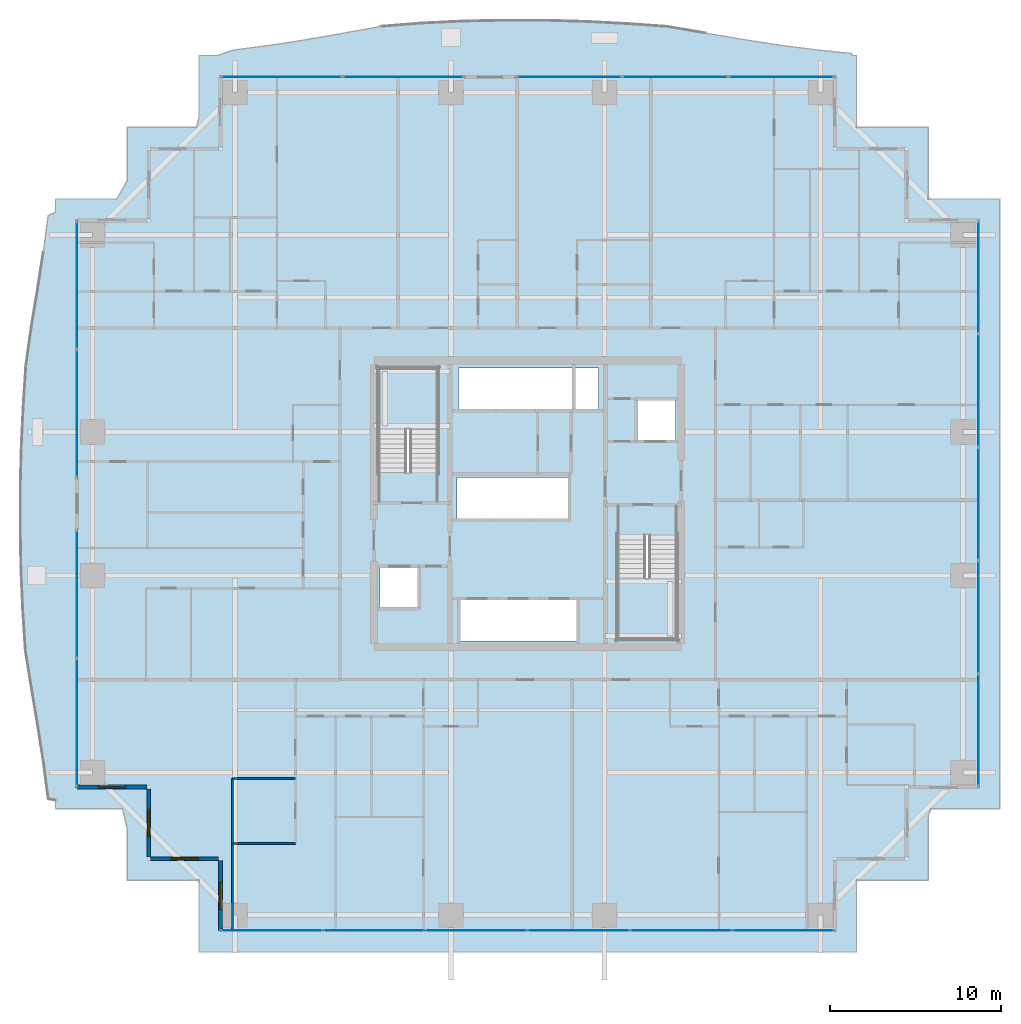
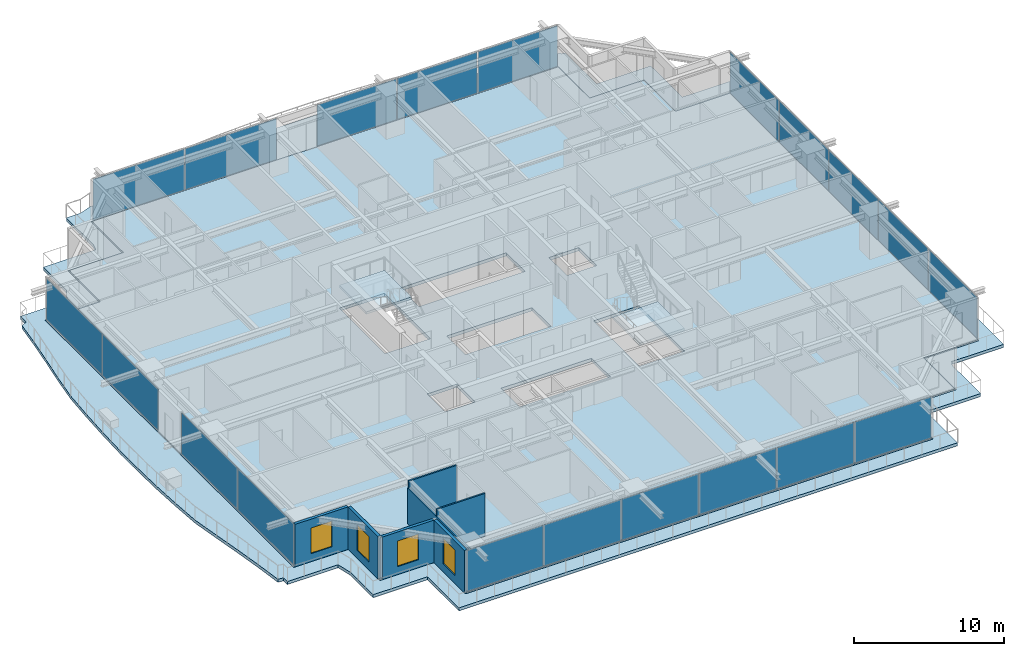
# One storey, part 21 of 34: 20 plates, 7 walls, 4 slabs, 4 windows, 4 openings, 8 elements without a shape of their own.
"""IFC4 building model written with IfcOpenShell, lengths in metres."""

from ifc_helpers import new_model, si_unit, direction, frame, frame_2d, origin, origin_2d, place, context, subcontext, project, spatial, polyline, rectangle, outline, extrude, source, transform, mapped, material, layer, layer_set, type_object, element, fill, aggregate, save


model = new_model("IFC4")

# Units and contexts
model_context = context("Model", 3, precision=1e-05, world=origin(), true_north=direction((0.0, 1.0)))
body_context = subcontext(model_context, "Body", "Model", "MODEL_VIEW")
ifc_project = project(units=[si_unit("LENGTHUNIT", "METRE"), si_unit("AREAUNIT", "SQUARE_METRE"), si_unit("VOLUMEUNIT", "CUBIC_METRE"), si_unit("PLANEANGLEUNIT", "RADIAN"), si_unit("MASSUNIT", "GRAM", prefix="KILO")], contexts=[model_context])

# Site, building, storey
site_placement = place(None, origin())
site = spatial("IfcSite", under=ifc_project, at=site_placement, CompositionType="ELEMENT")
building_placement = place(site_placement, origin())
building = spatial("IfcBuilding", under=site, at=building_placement, Name="Serunith Strait Residences", CompositionType="ELEMENT")
storey_placement = place(building_placement, frame((0.0, 0.0, 101.699951171875)))
storey = spatial("IfcBuildingStorey", under=building, at=storey_placement, Name="L25", CompositionType="ELEMENT", Elevation=101.699951171875)

# Slab
ifc_material_1 = material(Name="Concrete C50/60", Category="concrete")
ifc_layer_1 = layer(ifc_material_1, 0.239990234375, Name="Concrete C50/60")
ifc_layer_set_1 = layer_set([ifc_layer_1], Name="Concrete C50/60")
slab_type_1 = type_object("IfcSlabType", Name="SLB-BALC-240", PredefinedType="FLOOR", material=ifc_layer_set_1)
slab_1_placement = place(storey_placement, frame((0.0, 0.0, -0.2900390625)))
element("IfcSlab", 1, at=slab_1_placement, inside=storey, type_object=slab_type_1, Name="L25 Planted Vertical-Forest Balcony Slab", PredefinedType="FLOOR", context=body_context, shape_type="SweptSolid", body=[
    extrude(outline(polyline([(4.739990234375, 7.83251953125), (4.32177734375, 7.8994140625), (4.041015625, 10.02685546875), (3.7099609375, 12.17724609375), (3.3408203125, 14.3671875), (2.977294921875, 16.618408203125), (2.82763671875, 18.973876953125), (2.72265625, 21.359130859375), (2.679931640625, 23.764404296875), (2.679931640625, 26.17578125), (2.742919921875, 28.57958984375), (2.85595703125, 30.96337890625), (3.007568359375, 33.318115234375), (3.328125, 35.588134765625), (3.693115234375, 37.78662109375), (4.021484375, 39.944580078125), (4.30126953125, 42.078857421875), (4.739990234375, 42.280517578125), (4.739990234375, 43.06005859375), (8.329833984375, 43.06005859375), (8.93994140625, 44.134033203125), (8.93994140625, 47.260009765625), (12.993408203125, 47.260009765625), (13.139892578125, 47.81591796875), (13.139892578125, 51.4599609375), (14.236083984375, 51.4599609375), (15.108642578125, 51.77490234375), (17.230224609375, 52.049072265625), (19.37109375, 52.38134765625), (21.5498046875, 52.76171875), (23.787109375, 53.163818359375), (26.140625, 53.35302734375), (28.536376953125, 53.469970703125), (30.955322265625, 53.52001953125), (33.3818359375, 53.52001953125), (35.79931640625, 53.449951171875), (38.19384765625, 53.32568359375), (40.55517578125, 53.160400390625), (42.806640625, 52.77978515625), (44.9951171875, 52.403076171875), (47.14404296875, 52.072509765625), (49.27197265625, 51.7978515625), (51.392578125, 51.57861328125), (51.3916015625, 51.4599609375), (51.659912109375, 51.4599609375), (51.659912109375, 47.260009765625), (55.860107421875, 47.260009765625), (55.860107421875, 43.06005859375), (60.06005859375, 43.06005859375), (60.06005859375, 7.340087890625), (56.041259765625, 7.340087890625), (55.860107421875, 6.9423828125), (55.860107421875, 3.139892578125), (51.659912109375, 3.139892578125), (51.659912109375, -1.06005859375), (13.139892578125, -1.06005859375), (13.139892578125, 3.139892578125), (8.93994140625, 3.139892578125), (8.93994140625, 6.131591796875), (8.66064453125, 7.340087890625), (4.739990234375, 7.340087890625), (4.739990234375, 7.83251953125)]), holes=[polyline([(50.455078125, 0.14501953125), (50.455078125, 4.344970703125), (54.655029296875, 4.344970703125), (54.655029296875, 8.544921875), (58.85498046875, 8.544921875), (58.85498046875, 41.85498046875), (54.655029296875, 41.85498046875), (54.655029296875, 46.054931640625), (50.455078125, 46.054931640625), (50.455078125, 50.2548828125), (14.344970703125, 50.2548828125), (14.344970703125, 46.054931640625), (10.14501953125, 46.054931640625), (10.14501953125, 41.85498046875), (5.945068359375, 41.85498046875), (5.945068359375, 8.544921875), (10.14501953125, 8.544921875), (10.14501953125, 4.344970703125), (14.344970703125, 4.344970703125), (14.344970703125, 0.14501953125), (50.455078125, 0.14501953125)])]), origin(), (0.0, 0.0, 1.0), 0.239990234375),
])

# Stair, slab
stair_type_1 = type_object("IfcStairType", Name="STR-CORE-1", PredefinedType="HALF_TURN_STAIR", material=ifc_material_1)
stair_1_placement = place(storey_placement, origin())
stair_1 = element("IfcStair", 2, at=stair_1_placement, inside=storey, type_object=stair_type_1, Name="L25 Protected Escape Stair ST-1", PredefinedType="HALF_TURN_STAIR")
ifc_layer_2 = layer(ifc_material_1, 0.199951171875, Name="Concrete C50/60")
ifc_layer_set_2 = layer_set([ifc_layer_2], Name="Concrete C50/60")
slab_type_2 = type_object("IfcSlabType", Name="SLB-LAND-200", PredefinedType="LANDING", material=ifc_layer_set_2)
slab_2_placement = place(storey_placement, frame((0.0, 0.0, 1.675048828125)))
slab_2 = element("IfcSlab", 3, at=slab_2_placement, type_object=slab_type_2, Name="ST-1 landing 1", PredefinedType="LANDING", context=body_context, shape_type="SweptSolid", body=[
    extrude(outline(polyline([(27.14990234375, 29.550048828125), (27.14990234375, 33.14990234375), (23.64990234375, 33.14990234375), (23.64990234375, 29.550048828125), (27.14990234375, 29.550048828125)])), origin(), (0.0, 0.0, 1.0), 0.199951171875),
])
aggregate(stair_1, [slab_2])

stair_type_2 = type_object("IfcStairType", Name="STR-CORE-2", PredefinedType="HALF_TURN_STAIR", material=ifc_material_1)
stair_2_placement = place(storey_placement, origin())
stair_2 = element("IfcStair", 4, at=stair_2_placement, inside=storey, type_object=stair_type_2, Name="L25 Protected Escape Stair ST-2", PredefinedType="HALF_TURN_STAIR")
slab_3_placement = place(storey_placement, frame((0.0, 0.0, 1.675048828125)))
slab_3 = element("IfcSlab", 5, at=slab_3_placement, type_object=slab_type_2, Name="ST-2 landing 1", PredefinedType="LANDING", context=body_context, shape_type="SweptSolid", body=[
    extrude(outline(polyline([(37.64990234375, 20.85009765625), (37.64990234375, 17.25), (41.14990234375, 17.25), (41.14990234375, 20.85009765625), (37.64990234375, 20.85009765625)])), origin(), (0.0, 0.0, 1.0), 0.199951171875),
])
aggregate(stair_2, [slab_3])

# Slab
ifc_material_2 = material(Name="Concrete C60/75", Category="concrete")
ifc_layer_3 = layer(ifc_material_2, 0.260009765625, Name="Concrete C60/75")
ifc_layer_set_3 = layer_set([ifc_layer_3], Name="Concrete C60/75")
slab_type_3 = type_object("IfcSlabType", Name="SLB-TWR-260-Z1", PredefinedType="FLOOR", material=ifc_layer_set_3)
slab_4_placement = place(storey_placement, frame((0.0, 0.0, -0.260009765625)))
element("IfcSlab", 6, at=slab_4_placement, inside=storey, type_object=slab_type_3, Name="L25 Structural Floor Plate", PredefinedType="FLOOR", context=body_context, shape_type="SweptSolid", body=[
    extrude(outline(polyline([(14.39990234375, 4.39990234375), (10.199951171875, 4.39990234375), (10.199951171875, 8.60009765625), (6.0, 8.60009765625), (6.0, 41.800048828125), (10.199951171875, 41.800048828125), (10.199951171875, 46.0), (14.39990234375, 46.0), (14.39990234375, 50.199951171875), (50.39990234375, 50.199951171875), (50.39990234375, 46.0), (54.60009765625, 46.0), (54.60009765625, 41.800048828125), (58.800048828125, 41.800048828125), (58.800048828125, 8.60009765625), (54.60009765625, 8.60009765625), (54.60009765625, 4.39990234375), (50.39990234375, 4.39990234375), (50.39990234375, 0.199951171875), (14.39990234375, 0.199951171875), (14.39990234375, 4.39990234375)]), holes=[polyline([(41.14990234375, 17.25), (41.14990234375, 23.3701171875), (37.64990234375, 23.3701171875), (37.64990234375, 17.25), (41.14990234375, 17.25)]), polyline([(41.050048828125, 31.25), (38.75, 31.25), (38.75, 28.85009765625), (41.050048828125, 28.85009765625), (41.050048828125, 31.25)]), polyline([(36.550048828125, 33.14990234375), (28.35009765625, 33.14990234375), (28.35009765625, 30.64990234375), (36.550048828125, 30.64990234375), (36.550048828125, 33.14990234375)]), polyline([(28.35009765625, 19.64990234375), (28.35009765625, 17.14990234375), (35.35009765625, 17.14990234375), (35.35009765625, 19.64990234375), (28.35009765625, 19.64990234375)]), polyline([(34.85009765625, 26.75), (28.25, 26.75), (28.25, 24.25), (34.85009765625, 24.25), (34.85009765625, 26.75)]), polyline([(23.64990234375, 33.14990234375), (23.64990234375, 27.030029296875), (27.14990234375, 27.030029296875), (27.14990234375, 33.14990234375), (23.64990234375, 33.14990234375)]), polyline([(26.050048828125, 21.550048828125), (23.75, 21.550048828125), (23.75, 19.14990234375), (26.050048828125, 19.14990234375), (26.050048828125, 21.550048828125)])]), origin(), (0.0, 0.0, 1.0), 0.260009765625),
])

# Curtain wall, plates
ifc_material_3 = material(Name="Pale-Champagne Anodised Aluminium", Category="aluminium")
ifc_layer_4 = layer(ifc_material_3, 0.199951171875, Name="Pale-Champagne Anodised Aluminium")
ifc_layer_set_4 = layer_set([ifc_layer_4], Name="Pale-Champagne Anodised Aluminium")
curtain_wall_type = type_object("IfcCurtainWallType", Name="CW-SYS1", PredefinedType="NOTDEFINED", material=ifc_layer_set_4)
curtain_wall_1_placement = place(storey_placement, origin())
curtain_wall_1 = element("IfcCurtainWall", 7, at=curtain_wall_1_placement, inside=storey, type_object=curtain_wall_type, Name="L25 S Unitised Fritted Curtain Wall", PredefinedType="NOTDEFINED")
ifc_material_4 = material(Name="Ceramic-Fritted Low-E Double Glazing 28mm", Category="glass")
ifc_layer_5 = layer(ifc_material_4, 0.028076171875, Name="Ceramic-Fritted Low-E Double Glazing 28mm")
ifc_layer_set_5 = layer_set([ifc_layer_5], Name="Ceramic-Fritted Low-E Double Glazing 28mm")
plate_type = type_object("IfcPlateType", Name="CW-SYS1-PNL", PredefinedType="CURTAIN_PANEL", material=ifc_layer_set_5)
shared_shape_1 = source(origin(), body_context, "Body", "SweptSolid", [
    extrude(rectangle(XDim=5.89501953125, YDim=0.028076171875, at=origin_2d()), origin(), (0.0, 0.0, 1.0), 3.35498046875),
])
plate_1_placement = place(storey_placement, frame((17.41748046875, 0.199951171875, 0.06005859375), z_axis=(0.0, 0.0, 1.0), x_axis=(1.0, 0.0, 0.0)))
plate_1 = element("IfcPlate", 8, at=plate_1_placement, type_object=plate_type, Name="CW-1 panel 1.1", PredefinedType="CURTAIN_PANEL", context=body_context, shape_type="MappedRepresentation", body=[
    mapped(shared_shape_1, transform((0.0, 0.0, 0.0), scale=1.0)),
])
plate_2_placement = place(storey_placement, frame((47.382568359375, 0.199951171875, 0.06005859375), z_axis=(0.0, 0.0, 1.0), x_axis=(1.0, 0.0, 0.0)))
plate_2 = element("IfcPlate", 9, at=plate_2_placement, type_object=plate_type, Name="CW-1 panel 6.1", PredefinedType="CURTAIN_PANEL", context=body_context, shape_type="MappedRepresentation", body=[
    mapped(shared_shape_1, transform((0.0, 0.0, 0.0), scale=1.0)),
])
shared_shape_2 = source(origin(), body_context, "Body", "SweptSolid", [
    extrude(rectangle(XDim=5.929931640625, YDim=0.028076171875, at=origin_2d()), origin(), (0.0, 0.0, 1.0), 3.35498046875),
])
plate_3_placement = place(storey_placement, frame((23.39990234375, 0.199951171875, 0.06005859375), z_axis=(0.0, 0.0, 1.0), x_axis=(1.0, 0.0, 0.0)))
plate_3 = element("IfcPlate", 10, at=plate_3_placement, type_object=plate_type, Name="CW-1 panel 2.1", PredefinedType="CURTAIN_PANEL", context=body_context, shape_type="MappedRepresentation", body=[
    mapped(shared_shape_2, transform((0.0, 0.0, 0.0), scale=1.0)),
])
plate_4_placement = place(storey_placement, frame((29.39990234375, 0.199951171875, 0.06005859375), z_axis=(0.0, 0.0, 1.0), x_axis=(1.0, 0.0, 0.0)))
plate_4 = element("IfcPlate", 11, at=plate_4_placement, type_object=plate_type, Name="CW-1 panel 3.1", PredefinedType="CURTAIN_PANEL", context=body_context, shape_type="MappedRepresentation", body=[
    mapped(shared_shape_2, transform((0.0, 0.0, 0.0), scale=1.0)),
])
plate_5_placement = place(storey_placement, frame((35.39990234375, 0.199951171875, 0.06005859375), z_axis=(0.0, 0.0, 1.0), x_axis=(1.0, 0.0, 0.0)))
plate_5 = element("IfcPlate", 12, at=plate_5_placement, type_object=plate_type, Name="CW-1 panel 4.1", PredefinedType="CURTAIN_PANEL", context=body_context, shape_type="MappedRepresentation", body=[
    mapped(shared_shape_2, transform((0.0, 0.0, 0.0), scale=1.0)),
])
plate_6_placement = place(storey_placement, frame((41.39990234375, 0.199951171875, 0.06005859375), z_axis=(0.0, 0.0, 1.0), x_axis=(1.0, 0.0, 0.0)))
plate_6 = element("IfcPlate", 13, at=plate_6_placement, type_object=plate_type, Name="CW-1 panel 5.1", PredefinedType="CURTAIN_PANEL", context=body_context, shape_type="MappedRepresentation", body=[
    mapped(shared_shape_2, transform((0.0, 0.0, 0.0), scale=1.0)),
])
aggregate(curtain_wall_1, [plate_1, plate_3, plate_4, plate_5, plate_6, plate_2])

curtain_wall_2_placement = place(storey_placement, origin())
curtain_wall_2 = element("IfcCurtainWall", 14, at=curtain_wall_2_placement, inside=storey, type_object=curtain_wall_type, Name="L25 W Unitised Fritted Curtain Wall", PredefinedType="NOTDEFINED")
shared_shape_3 = source(origin(), body_context, "Body", "SweptSolid", [
    extrude(rectangle(XDim=7.445068359375, YDim=0.028076171875, at=origin_2d()), origin(), (0.0, 0.0, 1.0), 3.35498046875),
])
plate_7_placement = place(storey_placement, frame((6.0, 38.007568359375, 0.06005859375), z_axis=(0.0, 0.0, 1.0), x_axis=(0.0, -1.0, 0.0)))
plate_7 = element("IfcPlate", 15, at=plate_7_placement, type_object=plate_type, Name="CW-1 panel 1.1", PredefinedType="CURTAIN_PANEL", context=body_context, shape_type="MappedRepresentation", body=[
    mapped(shared_shape_3, transform((0.0, 0.0, 0.0), scale=1.0)),
])
plate_8_placement = place(storey_placement, frame((6.0, 30.492431640625, 0.06005859375), z_axis=(0.0, 0.0, 1.0), x_axis=(0.0, -1.0, 0.0)))
plate_8 = element("IfcPlate", 16, at=plate_8_placement, type_object=plate_type, Name="CW-1 panel 2.1", PredefinedType="CURTAIN_PANEL", context=body_context, shape_type="MappedRepresentation", body=[
    mapped(shared_shape_3, transform((0.0, 0.0, 0.0), scale=1.0)),
])
aggregate(curtain_wall_2, [plate_7, plate_8])

curtain_wall_3_placement = place(storey_placement, origin())
curtain_wall_3 = element("IfcCurtainWall", 17, at=curtain_wall_3_placement, inside=storey, type_object=curtain_wall_type, Name="L25 W Unitised Fritted Curtain Wall", PredefinedType="NOTDEFINED")
plate_9_placement = place(storey_placement, frame((6.0, 19.907470703125, 0.06005859375), z_axis=(0.0, 0.0, 1.0), x_axis=(0.0, -1.0, 0.0)))
plate_9 = element("IfcPlate", 18, at=plate_9_placement, type_object=plate_type, Name="CW-1 panel 1.1", PredefinedType="CURTAIN_PANEL", context=body_context, shape_type="MappedRepresentation", body=[
    mapped(shared_shape_3, transform((0.0, 0.0, 0.0), scale=1.0)),
])
plate_10_placement = place(storey_placement, frame((6.0, 12.392578125, 0.06005859375), z_axis=(0.0, 0.0, 1.0), x_axis=(0.0, -1.0, 0.0)))
plate_10 = element("IfcPlate", 19, at=plate_10_placement, type_object=plate_type, Name="CW-1 panel 2.1", PredefinedType="CURTAIN_PANEL", context=body_context, shape_type="MappedRepresentation", body=[
    mapped(shared_shape_3, transform((0.0, 0.0, 0.0), scale=1.0)),
])
aggregate(curtain_wall_3, [plate_9, plate_10])

curtain_wall_4_placement = place(storey_placement, origin())
curtain_wall_4 = element("IfcCurtainWall", 20, at=curtain_wall_4_placement, inside=storey, type_object=curtain_wall_type, Name="L25 E Unitised Fritted Curtain Wall", PredefinedType="NOTDEFINED")
shared_shape_4 = source(origin(), body_context, "Body", "SweptSolid", [
    extrude(rectangle(XDim=6.534912109375, YDim=0.028076171875, at=origin_2d()), origin(), (0.0, 0.0, 1.0), 3.35498046875),
])
plate_11_placement = place(storey_placement, frame((58.800048828125, 11.9375, 0.06005859375), z_axis=(0.0, 0.0, 1.0), x_axis=(0.0, 1.0, 0.0)))
plate_11 = element("IfcPlate", 21, at=plate_11_placement, type_object=plate_type, Name="CW-1 panel 1.1", PredefinedType="CURTAIN_PANEL", context=body_context, shape_type="MappedRepresentation", body=[
    mapped(shared_shape_4, transform((0.0, 0.0, 0.0), scale=1.0)),
])
plate_12_placement = place(storey_placement, frame((58.800048828125, 38.46240234375, 0.06005859375), z_axis=(0.0, 0.0, 1.0), x_axis=(0.0, 1.0, 0.0)))
plate_12 = element("IfcPlate", 22, at=plate_12_placement, type_object=plate_type, Name="CW-1 panel 5.1", PredefinedType="CURTAIN_PANEL", context=body_context, shape_type="MappedRepresentation", body=[
    mapped(shared_shape_4, transform((0.0, 0.0, 0.0), scale=1.0)),
])
shared_shape_5 = source(origin(), body_context, "Body", "SweptSolid", [
    extrude(rectangle(XDim=6.570068359375, YDim=0.028076171875, at=origin_2d()), origin(), (0.0, 0.0, 1.0), 3.35498046875),
])
plate_13_placement = place(storey_placement, frame((58.800048828125, 18.56005859375, 0.06005859375), z_axis=(0.0, 0.0, 1.0), x_axis=(0.0, 1.0, 0.0)))
plate_13 = element("IfcPlate", 23, at=plate_13_placement, type_object=plate_type, Name="CW-1 panel 2.1", PredefinedType="CURTAIN_PANEL", context=body_context, shape_type="MappedRepresentation", body=[
    mapped(shared_shape_5, transform((0.0, 0.0, 0.0), scale=1.0)),
])
plate_14_placement = place(storey_placement, frame((58.800048828125, 25.199951171875, 0.06005859375), z_axis=(0.0, 0.0, 1.0), x_axis=(0.0, 1.0, 0.0)))
plate_14 = element("IfcPlate", 24, at=plate_14_placement, type_object=plate_type, Name="CW-1 panel 3.1", PredefinedType="CURTAIN_PANEL", context=body_context, shape_type="MappedRepresentation", body=[
    mapped(shared_shape_5, transform((0.0, 0.0, 0.0), scale=1.0)),
])
plate_15_placement = place(storey_placement, frame((58.800048828125, 31.840087890625, 0.06005859375), z_axis=(0.0, 0.0, 1.0), x_axis=(0.0, 1.0, 0.0)))
plate_15 = element("IfcPlate", 25, at=plate_15_placement, type_object=plate_type, Name="CW-1 panel 4.1", PredefinedType="CURTAIN_PANEL", context=body_context, shape_type="MappedRepresentation", body=[
    mapped(shared_shape_5, transform((0.0, 0.0, 0.0), scale=1.0)),
])
aggregate(curtain_wall_4, [plate_11, plate_13, plate_14, plate_15, plate_12])

curtain_wall_5_placement = place(storey_placement, origin())
curtain_wall_5 = element("IfcCurtainWall", 26, at=curtain_wall_5_placement, inside=storey, type_object=curtain_wall_type, Name="L25 N Unitised Fritted Curtain Wall", PredefinedType="NOTDEFINED")
shared_shape_6 = source(origin(), body_context, "Body", "SweptSolid", [
    extrude(rectangle(XDim=7.044921875, YDim=0.028076171875, at=origin_2d()), origin(), (0.0, 0.0, 1.0), 3.35498046875),
])
plate_16_placement = place(storey_placement, frame((25.107421875, 50.199951171875, 0.06005859375), z_axis=(0.0, 0.0, 1.0), x_axis=(-1.0, 0.0, 0.0)))
plate_16 = element("IfcPlate", 27, at=plate_16_placement, type_object=plate_type, Name="CW-1 panel 1.1", PredefinedType="CURTAIN_PANEL", context=body_context, shape_type="MappedRepresentation", body=[
    mapped(shared_shape_6, transform((0.0, 0.0, 0.0), scale=1.0)),
])
plate_17_placement = place(storey_placement, frame((17.992431640625, 50.199951171875, 0.06005859375), z_axis=(0.0, 0.0, 1.0), x_axis=(-1.0, 0.0, 0.0)))
plate_17 = element("IfcPlate", 28, at=plate_17_placement, type_object=plate_type, Name="CW-1 panel 2.1", PredefinedType="CURTAIN_PANEL", context=body_context, shape_type="MappedRepresentation", body=[
    mapped(shared_shape_6, transform((0.0, 0.0, 0.0), scale=1.0)),
])
aggregate(curtain_wall_5, [plate_16, plate_17])

curtain_wall_6_placement = place(storey_placement, origin())
curtain_wall_6 = element("IfcCurtainWall", 29, at=curtain_wall_6_placement, inside=storey, type_object=curtain_wall_type, Name="L25 N Unitised Fritted Curtain Wall", PredefinedType="NOTDEFINED")
shared_shape_7 = source(origin(), body_context, "Body", "SweptSolid", [
    extrude(rectangle(XDim=6.12841796875, YDim=0.028076171875, at=origin_2d()), origin(), (0.0, 0.0, 1.0), 3.35498046875),
])
plate_18_placement = place(storey_placement, frame((47.265869140625, 50.199951171875, 0.06005859375), z_axis=(0.0, 0.0, 1.0), x_axis=(-1.0, 0.0, 0.0)))
plate_18 = element("IfcPlate", 30, at=plate_18_placement, type_object=plate_type, Name="CW-1 panel 1.1", PredefinedType="CURTAIN_PANEL", context=body_context, shape_type="MappedRepresentation", body=[
    mapped(shared_shape_7, transform((0.0, 0.0, 0.0), scale=1.0)),
])
plate_19_placement = place(storey_placement, frame((34.834228515625, 50.199951171875, 0.06005859375), z_axis=(0.0, 0.0, 1.0), x_axis=(-1.0, 0.0, 0.0)))
plate_19 = element("IfcPlate", 31, at=plate_19_placement, type_object=plate_type, Name="CW-1 panel 3.1", PredefinedType="CURTAIN_PANEL", context=body_context, shape_type="MappedRepresentation", body=[
    mapped(shared_shape_7, transform((0.0, 0.0, 0.0), scale=1.0)),
])
shared_shape_8 = source(origin(), body_context, "Body", "SweptSolid", [
    extrude(rectangle(XDim=6.163330078125, YDim=0.028076171875, at=origin_2d()), origin(), (0.0, 0.0, 1.0), 3.35498046875),
])
plate_20_placement = place(storey_placement, frame((41.050048828125, 50.199951171875, 0.06005859375), z_axis=(0.0, 0.0, 1.0), x_axis=(-1.0, 0.0, 0.0)))
plate_20 = element("IfcPlate", 32, at=plate_20_placement, type_object=plate_type, Name="CW-1 panel 2.1", PredefinedType="CURTAIN_PANEL", context=body_context, shape_type="MappedRepresentation", body=[
    mapped(shared_shape_8, transform((0.0, 0.0, 0.0), scale=1.0)),
])
aggregate(curtain_wall_6, [plate_18, plate_20, plate_19])

# Wall, opening, window
ifc_material_5 = material(Name="Pale-Champagne Aluminium Insulated Panel", Category="aluminium")
ifc_layer_6 = layer(ifc_material_5, 0.219970703125, Name="Pale-Champagne Aluminium Insulated Panel")
ifc_layer_set_6 = layer_set([ifc_layer_6], Name="Pale-Champagne Aluminium Insulated Panel")
wall_type_1 = type_object("IfcWallType", Name="EW-ALUM-220", PredefinedType="ELEMENTEDWALL", material=ifc_layer_set_6)
wall_1_placement = place(storey_placement, frame((6.0, 8.60009765625, 0.0), z_axis=(0.0, 0.0, 1.0), x_axis=(1.0, 0.0, 0.0)))
wall_1 = element("IfcWall", 33, at=wall_1_placement, inside=storey, type_object=wall_type_1, Name="L25 Girih Serrated Corner Wall 17", PredefinedType="ELEMENTEDWALL", context=body_context, shape_type="SweptSolid", body=[
    extrude(rectangle(XDim=4.090087890625, YDim=0.219970703125, at=frame_2d((2.044921875, 0.0))), origin(), (0.0, 0.0, 1.0), 3.47509765625),
])
opening_1_placement = place(wall_1_placement, frame((1.2451171875, 0.0, 0.64990234375)))
opening_1 = element("IfcOpeningElement", 34, at=opening_1_placement, cuts=wall_1, Name="Opening W-02", PredefinedType="OPENING", context=body_context, shape_type="SweptSolid", body=[
    extrude(rectangle(XDim=1.60009765625, YDim=2.10009765625, at=frame_2d((0.800048828125, 1.050048828125))), frame((0.0, 0.1201171875, 0.0), z_axis=(0.0, -1.0, 0.0), x_axis=(1.0, 0.0, 0.0)), (0.0, 0.0, 1.0), 0.239990234375),
])
ifc_material_6 = material(Name="Ceramic-Fritted Operable Aluminium Window Glass", Category="aluminium")
window_type = type_object("IfcWindowType", Name="WIN-C2", PartitioningType="DOUBLE_PANEL_VERTICAL", PredefinedType="WINDOW", material=ifc_material_6)
shared_shape_9 = source(origin(), body_context, "Body", "SweptSolid", [
    extrude(rectangle(XDim=1.60009765625, YDim=2.10009765625, at=frame_2d((0.800048828125, 1.050048828125))), frame((0.0, 0.030029296875, 0.0), z_axis=(0.0, -1.0, 0.0), x_axis=(1.0, 0.0, 0.0)), (0.0, 0.0, 1.0), 0.06005859375),
])
window_1_placement = place(opening_1_placement, origin())
window_1 = element("IfcWindow", 35, at=window_1_placement, inside=storey, type_object=window_type, Name="L25 Corner Operable Fritted Window 17", OverallHeight=2.10009765625, OverallWidth=1.60009765625, PartitioningType="SINGLE_PANEL", PredefinedType="WINDOW", context=body_context, shape_type="MappedRepresentation", body=[
    mapped(shared_shape_9, transform((0.0, 0.0, 0.0), scale=1.0)),
])
fill(opening_1, window_1)

wall_2_placement = place(storey_placement, frame((10.199951171875, 8.489990234375, 0.0), z_axis=(0.0, 0.0, 1.0), x_axis=(0.0, -1.0, 0.0)))
wall_2 = element("IfcWall", 36, at=wall_2_placement, inside=storey, type_object=wall_type_1, Name="L25 Girih Serrated Corner Wall 18", PredefinedType="ELEMENTEDWALL", context=body_context, shape_type="SweptSolid", body=[
    extrude(rectangle(XDim=3.97998046875, YDim=0.219970703125, at=frame_2d((1.989990234375, 0.0))), origin(), (0.0, 0.0, 1.0), 3.47509765625),
])
opening_2_placement = place(wall_2_placement, frame((1.18994140625, 0.0, 0.64990234375)))
opening_2 = element("IfcOpeningElement", 37, at=opening_2_placement, cuts=wall_2, Name="Opening W-02", PredefinedType="OPENING", context=body_context, shape_type="SweptSolid", body=[
    extrude(rectangle(XDim=1.60009765625, YDim=2.10009765625, at=frame_2d((0.800048828125, 1.050048828125))), frame((0.0, 0.1201171875, 0.0), z_axis=(0.0, -1.0, 0.0), x_axis=(1.0, 0.0, 0.0)), (0.0, 0.0, 1.0), 0.239990234375),
])
window_2_placement = place(opening_2_placement, origin())
window_2 = element("IfcWindow", 38, at=window_2_placement, inside=storey, type_object=window_type, Name="L25 Corner Operable Fritted Window 18", OverallHeight=2.10009765625, OverallWidth=1.60009765625, PartitioningType="SINGLE_PANEL", PredefinedType="WINDOW", context=body_context, shape_type="MappedRepresentation", body=[
    mapped(shared_shape_9, transform((0.0, 0.0, 0.0), scale=1.0)),
])
fill(opening_2, window_2)

wall_3_placement = place(storey_placement, frame((10.31005859375, 4.39990234375, 0.0), z_axis=(0.0, 0.0, 1.0), x_axis=(1.0, 0.0, 0.0)))
wall_3 = element("IfcWall", 39, at=wall_3_placement, inside=storey, type_object=wall_type_1, Name="L25 Girih Serrated Corner Wall 19", PredefinedType="ELEMENTEDWALL", context=body_context, shape_type="SweptSolid", body=[
    extrude(rectangle(XDim=3.97998046875, YDim=0.219970703125, at=frame_2d((1.989990234375, 0.0))), origin(), (0.0, 0.0, 1.0), 3.47509765625),
])
opening_3_placement = place(wall_3_placement, frame((1.18994140625, 0.0, 0.64990234375)))
opening_3 = element("IfcOpeningElement", 40, at=opening_3_placement, cuts=wall_3, Name="Opening W-02", PredefinedType="OPENING", context=body_context, shape_type="SweptSolid", body=[
    extrude(rectangle(XDim=1.60009765625, YDim=2.10009765625, at=frame_2d((0.800048828125, 1.050048828125))), frame((0.0, 0.1201171875, 0.0), z_axis=(0.0, -1.0, 0.0), x_axis=(1.0, 0.0, 0.0)), (0.0, 0.0, 1.0), 0.239990234375),
])
window_3_placement = place(opening_3_placement, origin())
window_3 = element("IfcWindow", 41, at=window_3_placement, inside=storey, type_object=window_type, Name="L25 Corner Operable Fritted Window 19", OverallHeight=2.10009765625, OverallWidth=1.60009765625, PartitioningType="SINGLE_PANEL", PredefinedType="WINDOW", context=body_context, shape_type="MappedRepresentation", body=[
    mapped(shared_shape_9, transform((0.0, 0.0, 0.0), scale=1.0)),
])
fill(opening_3, window_3)

wall_4_placement = place(storey_placement, frame((14.39990234375, 4.2900390625, 0.0), z_axis=(0.0, 0.0, 1.0), x_axis=(0.0, -1.0, 0.0)))
wall_4 = element("IfcWall", 42, at=wall_4_placement, inside=storey, type_object=wall_type_1, Name="L25 Girih Serrated Corner Wall 20", PredefinedType="ELEMENTEDWALL", context=body_context, shape_type="SweptSolid", body=[
    extrude(rectangle(XDim=4.090087890625, YDim=0.219970703125, at=frame_2d((2.044921875, 0.0))), origin(), (0.0, 0.0, 1.0), 3.47509765625),
])
opening_4_placement = place(wall_4_placement, frame((1.2451171875, 0.0, 0.64990234375)))
opening_4 = element("IfcOpeningElement", 43, at=opening_4_placement, cuts=wall_4, Name="Opening W-02", PredefinedType="OPENING", context=body_context, shape_type="SweptSolid", body=[
    extrude(rectangle(XDim=1.60009765625, YDim=2.10009765625, at=frame_2d((0.800048828125, 1.050048828125))), frame((0.0, 0.1201171875, 0.0), z_axis=(0.0, -1.0, 0.0), x_axis=(1.0, 0.0, 0.0)), (0.0, 0.0, 1.0), 0.239990234375),
])
window_4_placement = place(opening_4_placement, origin())
window_4 = element("IfcWindow", 44, at=window_4_placement, inside=storey, type_object=window_type, Name="L25 Corner Operable Fritted Window 20", OverallHeight=2.10009765625, OverallWidth=1.60009765625, PartitioningType="SINGLE_PANEL", PredefinedType="WINDOW", context=body_context, shape_type="MappedRepresentation", body=[
    mapped(shared_shape_9, transform((0.0, 0.0, 0.0), scale=1.0)),
])
fill(opening_4, window_4)

# Walls
ifc_material_7 = material(Name="Lightweight steel-stud gypsum partition", Category="steel")
ifc_layer_7 = layer(ifc_material_7, 0.1201171875, Name="Lightweight steel-stud gypsum partition")
ifc_layer_set_7 = layer_set([ifc_layer_7], Name="Lightweight steel-stud gypsum partition")
wall_type_2 = type_object("IfcWallType", Name="IW-PART-120", PredefinedType="PARTITIONING", material=ifc_layer_set_7)
wall_5_placement = place(storey_placement, frame((15.10009765625, 5.30908203125, 0.0), z_axis=(0.0, 0.0, 1.0), x_axis=(1.0, 0.0, 0.0)))
element("IfcWall", 45, at=wall_5_placement, inside=storey, type_object=wall_type_2, Name="L25 Partition Wall 039", PredefinedType="PARTITIONING", context=body_context, shape_type="SweptSolid", body=[
    extrude(rectangle(XDim=3.699951171875, YDim=0.1201171875, at=frame_2d((1.85009765625, 0.0))), origin(), (0.0, 0.0, 1.0), 3.489990234375),
])
wall_6_placement = place(storey_placement, frame((15.10009765625, 0.294921875, 0.0), z_axis=(0.0, 0.0, 1.0), x_axis=(0.0, 1.0, 0.0)))
element("IfcWall", 46, at=wall_6_placement, inside=storey, type_object=wall_type_2, Name="L25 Partition Wall 040", PredefinedType="PARTITIONING", context=body_context, shape_type="SweptSolid", body=[
    extrude(rectangle(XDim=8.798095703125, YDim=0.1201171875, at=frame_2d((4.39892578125, 0.0))), origin(), (0.0, 0.0, 1.0), 2.922119140625),
])
wall_7_placement = place(storey_placement, frame((15.10009765625, 9.093017578125, 0.0), z_axis=(0.0, 0.0, 1.0), x_axis=(1.0, 0.0, 0.0)))
element("IfcWall", 47, at=wall_7_placement, inside=storey, type_object=wall_type_2, Name="L25 Partition Wall 041", PredefinedType="PARTITIONING", context=body_context, shape_type="SweptSolid", body=[
    extrude(rectangle(XDim=3.699951171875, YDim=0.1201171875, at=frame_2d((1.85009765625, 0.0))), origin(), (0.0, 0.0, 1.0), 3.489990234375),
])

save(model, "model.ifc")
